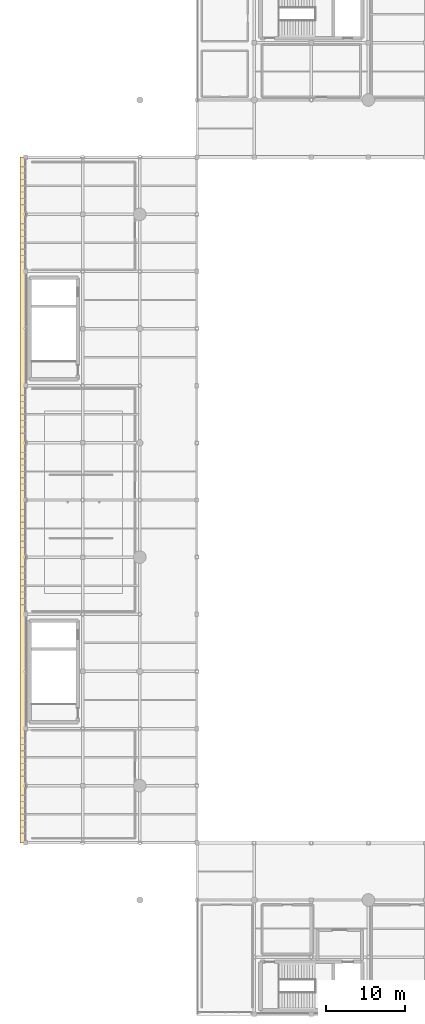
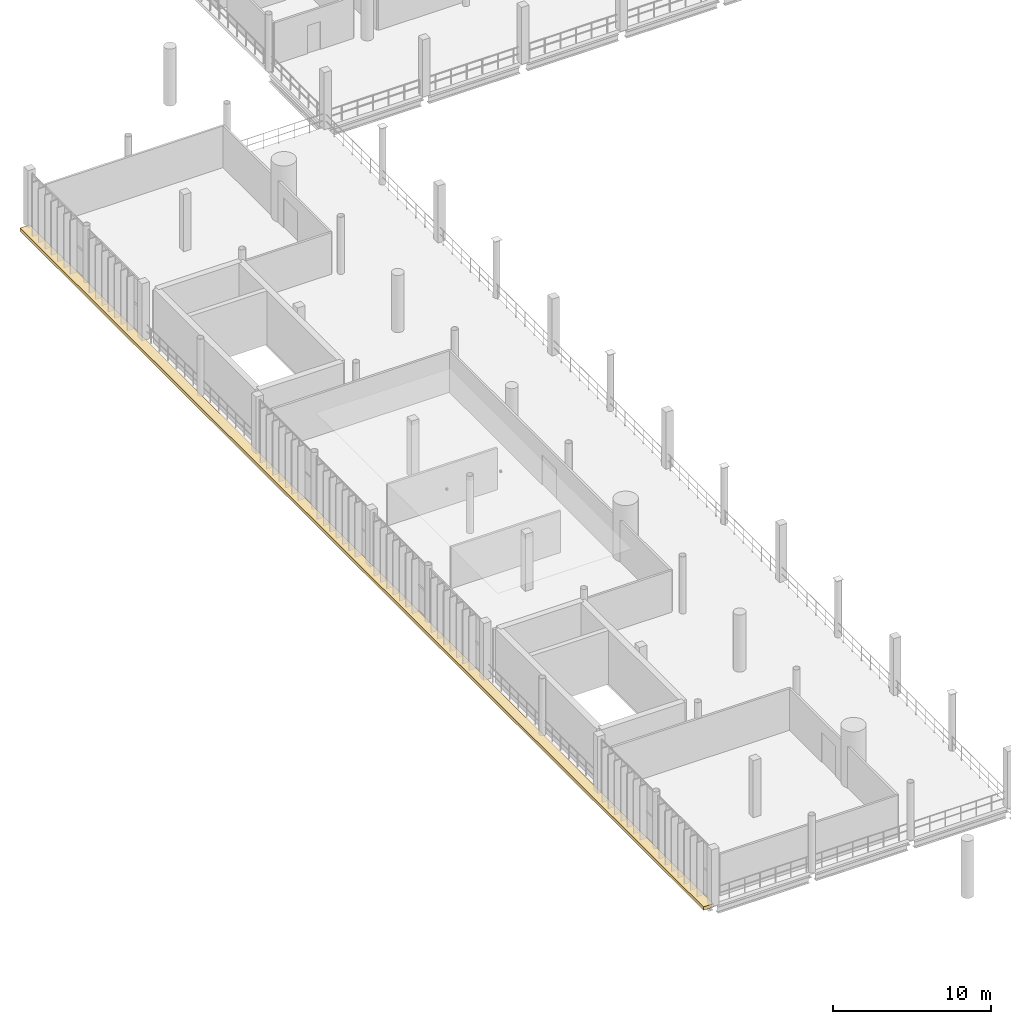
# One storey, part 72 of 81: 1 covering.
"""IFC4 building model written with IfcOpenShell, lengths in metres."""

from ifc_helpers import new_model, si_unit, direction, frame, origin, origin_2d, place, context, subcontext, project, spatial, rectangle, extrude, material, layer, layer_set, type_object, element, save


model = new_model("IFC4")

# Units and contexts
model_context = context("Model", 3, precision=1e-05, world=origin(), true_north=direction((0.0, 1.0)))
body_context = subcontext(model_context, "Body", "Model", "MODEL_VIEW")
ifc_project = project(units=[si_unit("LENGTHUNIT", "METRE"), si_unit("AREAUNIT", "SQUARE_METRE"), si_unit("VOLUMEUNIT", "CUBIC_METRE"), si_unit("PLANEANGLEUNIT", "RADIAN"), si_unit("MASSUNIT", "GRAM", prefix="KILO")], contexts=[model_context])

# Site, building, storey
site_placement = place(None, origin())
site = spatial("IfcSite", under=ifc_project, at=site_placement, CompositionType="ELEMENT")
building_placement = place(site_placement, origin())
building = spatial("IfcBuilding", under=site, at=building_placement, Name="Qandorah Velis Arena", CompositionType="ELEMENT")
storey_placement = place(building_placement, frame((0.0, 0.0, 18.60009765625)))
storey = spatial("IfcBuildingStorey", under=building, at=storey_placement, Name="L04", CompositionType="ELEMENT", Elevation=18.60009765625)

# Covering
ifc_material = material(Name="Precast Riyadh limestone cladding", Category="masonry")
ifc_layer = layer(ifc_material, 0.054931640625)
ifc_layer_set = layer_set([ifc_layer], Name="Precast Riyadh limestone cladding")
covering_type = type_object("IfcCoveringType", Name="ARC-COV-CLAD", PredefinedType="CLADDING", material=ifc_layer_set)
covering_placement = place(storey_placement, frame((-0.340087890625, 64.800048828125, -0.27001953125), z_axis=(0.0, 0.0, 1.0), x_axis=(1.0, 0.0, 0.0)))
element("IfcCovering", 1, at=covering_placement, inside=storey, type_object=covering_type, Name="Sculpted precast solar eyebrow reveal 04", PredefinedType="CLADDING", context=body_context, shape_type="SweptSolid", body=[
    extrude(rectangle(XDim=0.719970703125, YDim=86.39990234375, at=origin_2d()), origin(), (0.0, 0.0, 1.0), 0.260009765625),
])

save(model, "model.ifc")
